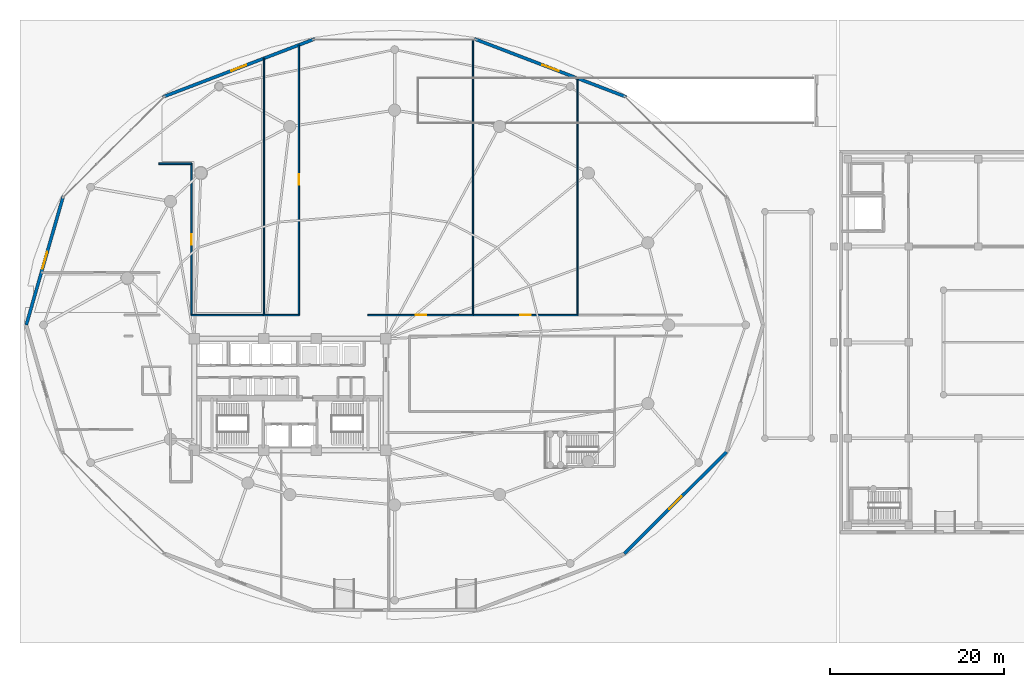
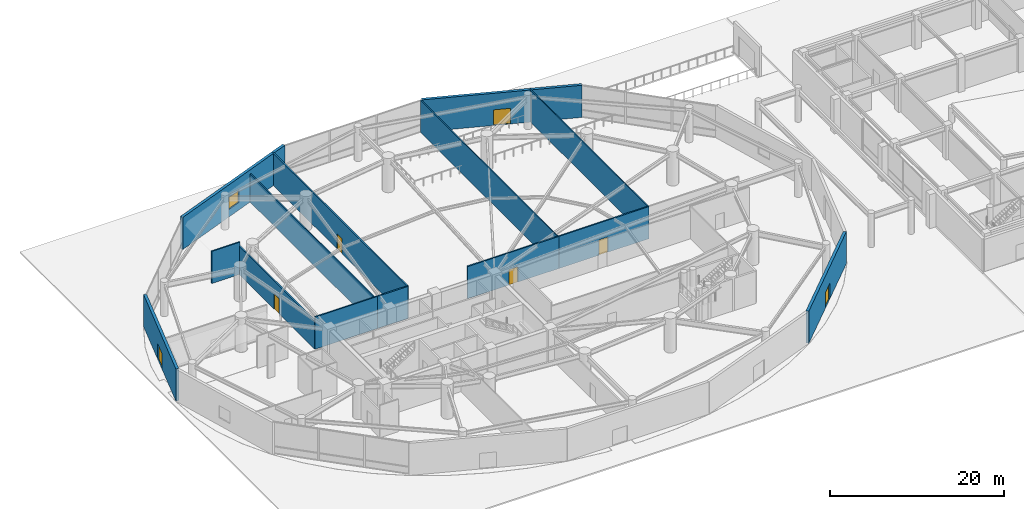
# One storey, part 24 of 35: 14 walls, 7 doors, 1 window, 8 openings.
"""IFC4 building model written with IfcOpenShell, lengths in metres."""

from ifc_helpers import new_model, si_unit, direction, frame, frame_2d, origin, place, context, subcontext, project, spatial, rectangle, extrude, material, layer, layer_set, type_object, element, fill, save


model = new_model("IFC4")

# Units and contexts
model_context = context("Model", 3, precision=1e-05, world=origin(), true_north=direction((0.0, 1.0)))
body_context = subcontext(model_context, "Body", "Model", "MODEL_VIEW")
ifc_project = project(units=[si_unit("LENGTHUNIT", "METRE"), si_unit("AREAUNIT", "SQUARE_METRE"), si_unit("VOLUMEUNIT", "CUBIC_METRE"), si_unit("PLANEANGLEUNIT", "RADIAN"), si_unit("MASSUNIT", "GRAM", prefix="KILO")], contexts=[model_context])

# Site, building, storey
site_placement = place(None, origin())
site = spatial("IfcSite", under=ifc_project, at=site_placement, CompositionType="ELEMENT")
building_placement = place(site_placement, origin())
building = spatial("IfcBuilding", under=site, at=building_placement, Name="Kazevale Care Tower and Concert Hall", CompositionType="ELEMENT")
storey_placement = place(building_placement, origin())
storey = spatial("IfcBuildingStorey", under=building, at=storey_placement, Name="L00", CompositionType="ELEMENT", Elevation=0.0)

# Walls
ifc_material_1 = material(Name="Acoustic Gypsum on Steel Stud", Category="steel")
ifc_layer_1 = layer(ifc_material_1, 0.139892578125)
ifc_layer_set_1 = layer_set([ifc_layer_1], Name="Acoustic Gypsum on Steel Stud")
wall_type_1 = type_object("IfcWallType", Name="Acoustic Care & Suite Partition 140", PredefinedType="PARTITIONING", material=ifc_layer_set_1)
wall_1_placement = place(storey_placement, frame((30.0, 68.58935546875, 0.0), z_axis=(0.0, 0.0, 1.0), x_axis=(0.0, -1.0, 0.0)))
element("IfcWall", 1, at=wall_1_placement, inside=storey, type_object=wall_type_1, Name="wall:L00:auto_021", PredefinedType="PARTITIONING", context=body_context, shape_type="SweptSolid", body=[
    extrude(rectangle(XDim=29.494384765625, YDim=0.139892578125, at=frame_2d((14.7470703125, 0.0))), origin(), (0.0, 0.0, 1.0), 3.966064453125),
])
wall_2_placement = place(storey_placement, frame((54.0, 70.72802734375, 0.0), z_axis=(0.0, 0.0, 1.0), x_axis=(0.0, -1.0, 0.0)))
element("IfcWall", 2, at=wall_2_placement, inside=storey, type_object=wall_type_1, Name="wall:L00:auto_022", PredefinedType="PARTITIONING", context=body_context, shape_type="SweptSolid", body=[
    extrude(rectangle(XDim=31.633056640625, YDim=0.139892578125, at=frame_2d((15.81640625, 0.0))), origin(), (0.0, 0.0, 1.0), 4.52001953125),
])
wall_3_placement = place(storey_placement, frame((66.0, 66.29443359375, 0.0), z_axis=(0.0, 0.0, 1.0), x_axis=(0.0, -1.0, 0.0)))
element("IfcWall", 3, at=wall_3_placement, inside=storey, type_object=wall_type_1, Name="wall:L00:auto_023", PredefinedType="PARTITIONING", context=body_context, shape_type="SweptSolid", body=[
    extrude(rectangle(XDim=27.199462890625, YDim=0.139892578125, at=frame_2d((13.599609375, 0.0))), origin(), (0.0, 0.0, 1.0), 4.52001953125),
])

# Wall, opening, door
ifc_material_2 = material(Name="Concrete C40 and Acoustic Gypsum", Category="concrete")
ifc_layer_2 = layer(ifc_material_2, 0.179931640625)
ifc_layer_set_2 = layer_set([ifc_layer_2], Name="Concrete C40 and Acoustic Gypsum")
wall_type_2 = type_object("IfcWallType", Name="Fire-Rated Corridor & Party Wall 180", PredefinedType="PARTITIONING", material=ifc_layer_set_2)
wall_4_placement = place(storey_placement, frame((21.675048828125, 56.530029296875, 0.0), z_axis=(0.0, 0.0, 1.0), x_axis=(0.0, -1.0, 0.0)))
wall_4 = element("IfcWall", 4, at=wall_4_placement, inside=storey, type_object=wall_type_2, Name="wall:L00:auto_003", PredefinedType="PARTITIONING", context=body_context, shape_type="SweptSolid", body=[
    extrude(rectangle(XDim=17.43505859375, YDim=0.179931640625, at=frame_2d((8.717529296875, 0.0))), origin(), (0.0, 0.0, 1.0), 3.966064453125),
])
opening_1_placement = place(wall_4_placement, frame((8.116943359375, 0.0, 0.0)))
opening_1 = element("IfcOpeningElement", 5, at=opening_1_placement, cuts=wall_4, Name="Opening ID-1200", PredefinedType="OPENING", context=body_context, shape_type="SweptSolid", body=[
    extrude(rectangle(XDim=1.199951171875, YDim=2.14990234375, at=frame_2d((0.60009765625, 1.074951171875))), frame((0.0, 0.099853515625, 0.0), z_axis=(0.0, -1.0, 0.0), x_axis=(1.0, 0.0, 0.0)), (0.0, 0.0, 1.0), 0.199951171875),
])
ifc_material_3 = material(Name="Oak Timber Fire Leaf", Category="wood")
door_type_1 = type_object("IfcDoorType", Name="Clinical & Therapy Door 1200x2150", OperationType="NOTDEFINED", PredefinedType="DOOR", material=ifc_material_3)
door_1_placement = place(opening_1_placement, origin())
door_1 = element("IfcDoor", 6, at=door_1_placement, inside=storey, type_object=door_type_1, Name="door:L00:ad_003", OperationType="SINGLE_SWING_LEFT", OverallHeight=2.14990234375, OverallWidth=1.199951171875, PredefinedType="DOOR", context=body_context, shape_type="SweptSolid", body=[
    extrude(rectangle(XDim=1.199951171875, YDim=2.14990234375, at=frame_2d((0.60009765625, 1.074951171875))), frame((0.0, 0.02490234375, 0.0), z_axis=(0.0, -1.0, 0.0), x_axis=(1.0, 0.0, 0.0)), (0.0, 0.0, 1.0), 0.050048828125),
])
fill(opening_1, door_1)

# Walls
wall_5_placement = place(storey_placement, frame((21.64501953125, 39.125, 0.0), z_axis=(0.0, 0.0, 1.0), x_axis=(1.0, 0.0, 0.0)))
element("IfcWall", 7, at=wall_5_placement, inside=storey, type_object=wall_type_2, Name="wall:L00:auto_004", PredefinedType="PARTITIONING", context=body_context, shape_type="SweptSolid", body=[
    extrude(rectangle(XDim=8.419921875, YDim=0.179931640625, at=frame_2d((4.2099609375, 0.0))), origin(), (0.0, 0.0, 1.0), 4.52001953125),
])
wall_6_placement = place(storey_placement, frame((17.93505859375, 56.5, 0.0), z_axis=(0.0, 0.0, 1.0), x_axis=(1.0, 0.0, 0.0)))
element("IfcWall", 8, at=wall_6_placement, inside=storey, type_object=wall_type_2, Name="wall:L00:auto_005", PredefinedType="PARTITIONING", context=body_context, shape_type="SweptSolid", body=[
    extrude(rectangle(XDim=3.77001953125, YDim=0.179931640625, at=frame_2d((1.885009765625, 0.0))), origin(), (0.0, 0.0, 1.0), 4.52001953125),
])

# Wall, opening, door
wall_7_placement = place(storey_placement, frame((34.0, 39.094970703125, 0.0), z_axis=(0.0, 0.0, 1.0), x_axis=(0.0, 1.0, 0.0)))
wall_7 = element("IfcWall", 9, at=wall_7_placement, inside=storey, type_object=wall_type_2, Name="wall:L00:auto_006", PredefinedType="PARTITIONING", context=body_context, shape_type="SweptSolid", body=[
    extrude(rectangle(XDim=31.024169921875, YDim=0.179931640625, at=frame_2d((15.51220703125, 0.0))), origin(), (0.0, 0.0, 1.0), 4.52001953125),
])
opening_2_placement = place(wall_7_placement, frame((14.989013671875, 0.0, 0.0)))
opening_2 = element("IfcOpeningElement", 10, at=opening_2_placement, cuts=wall_7, Name="Opening ID-1200", PredefinedType="OPENING", context=body_context, shape_type="SweptSolid", body=[
    extrude(rectangle(XDim=1.199951171875, YDim=2.14990234375, at=frame_2d((0.60009765625, 1.074951171875))), frame((0.0, 0.099853515625, 0.0), z_axis=(0.0, -1.0, 0.0), x_axis=(1.0, 0.0, 0.0)), (0.0, 0.0, 1.0), 0.199951171875),
])
door_2_placement = place(opening_2_placement, origin())
door_2 = element("IfcDoor", 11, at=door_2_placement, inside=storey, type_object=door_type_1, Name="door:L00:ad_006", OperationType="SINGLE_SWING_LEFT", OverallHeight=2.14990234375, OverallWidth=1.199951171875, PredefinedType="DOOR", context=body_context, shape_type="SweptSolid", body=[
    extrude(rectangle(XDim=1.199951171875, YDim=2.14990234375, at=frame_2d((0.60009765625, 1.074951171875))), frame((0.0, 0.02490234375, 0.0), z_axis=(0.0, -1.0, 0.0), x_axis=(1.0, 0.0, 0.0)), (0.0, 0.0, 1.0), 0.050048828125),
])
fill(opening_2, door_2)

# Wall
wall_8_placement = place(storey_placement, frame((29.93505859375, 39.125, 0.0), z_axis=(0.0, 0.0, 1.0), x_axis=(1.0, 0.0, 0.0)))
element("IfcWall", 12, at=wall_8_placement, inside=storey, type_object=wall_type_2, Name="wall:L00:auto_007", PredefinedType="PARTITIONING", context=body_context, shape_type="SweptSolid", body=[
    extrude(rectangle(XDim=4.094970703125, YDim=0.179931640625, at=frame_2d((2.04736328125, 0.0))), origin(), (0.0, 0.0, 1.0), 4.52001953125),
])

# Wall, opening, door
wall_9_placement = place(storey_placement, frame((41.93505859375, 39.125, 0.0), z_axis=(0.0, 0.0, 1.0), x_axis=(1.0, 0.0, 0.0)))
wall_9 = element("IfcWall", 13, at=wall_9_placement, inside=storey, type_object=wall_type_2, Name="wall:L00:auto_008", PredefinedType="PARTITIONING", context=body_context, shape_type="SweptSolid", body=[
    extrude(rectangle(XDim=12.1298828125, YDim=0.179931640625, at=frame_2d((6.06494140625, 0.0))), origin(), (0.0, 0.0, 1.0), 4.52001953125),
])
opening_3_placement = place(wall_9_placement, frame((5.465087890625, 0.0, 0.0)))
opening_3 = element("IfcOpeningElement", 14, at=opening_3_placement, cuts=wall_9, Name="Opening ID-1200", PredefinedType="OPENING", context=body_context, shape_type="SweptSolid", body=[
    extrude(rectangle(XDim=1.199951171875, YDim=2.14990234375, at=frame_2d((0.60009765625, 1.074951171875))), frame((0.0, 0.099853515625, 0.0), z_axis=(0.0, -1.0, 0.0), x_axis=(1.0, 0.0, 0.0)), (0.0, 0.0, 1.0), 0.199951171875),
])
door_3_placement = place(opening_3_placement, origin())
door_3 = element("IfcDoor", 15, at=door_3_placement, inside=storey, type_object=door_type_1, Name="door:L00:ad_008", OperationType="SINGLE_SWING_LEFT", OverallHeight=2.14990234375, OverallWidth=1.199951171875, PredefinedType="DOOR", context=body_context, shape_type="SweptSolid", body=[
    extrude(rectangle(XDim=1.199951171875, YDim=2.14990234375, at=frame_2d((0.60009765625, 1.074951171875))), frame((0.0, 0.02490234375, 0.0), z_axis=(0.0, -1.0, 0.0), x_axis=(1.0, 0.0, 0.0)), (0.0, 0.0, 1.0), 0.050048828125),
])
fill(opening_3, door_3)

wall_10_placement = place(storey_placement, frame((53.93505859375, 39.125, 0.0), z_axis=(0.0, 0.0, 1.0), x_axis=(1.0, 0.0, 0.0)))
wall_10 = element("IfcWall", 16, at=wall_10_placement, inside=storey, type_object=wall_type_2, Name="wall:L00:auto_009", PredefinedType="PARTITIONING", context=body_context, shape_type="SweptSolid", body=[
    extrude(rectangle(XDim=12.1298828125, YDim=0.179931640625, at=frame_2d((6.06494140625, 0.0))), origin(), (0.0, 0.0, 1.0), 4.52001953125),
])
opening_4_placement = place(wall_10_placement, frame((5.465087890625, 0.0, 0.0)))
opening_4 = element("IfcOpeningElement", 17, at=opening_4_placement, cuts=wall_10, Name="Opening ID-1200", PredefinedType="OPENING", context=body_context, shape_type="SweptSolid", body=[
    extrude(rectangle(XDim=1.199951171875, YDim=2.14990234375, at=frame_2d((0.60009765625, 1.074951171875))), frame((0.0, 0.099853515625, 0.0), z_axis=(0.0, -1.0, 0.0), x_axis=(1.0, 0.0, 0.0)), (0.0, 0.0, 1.0), 0.199951171875),
])
door_4_placement = place(opening_4_placement, origin())
door_4 = element("IfcDoor", 18, at=door_4_placement, inside=storey, type_object=door_type_1, Name="door:L00:ad_009", OperationType="SINGLE_SWING_LEFT", OverallHeight=2.14990234375, OverallWidth=1.199951171875, PredefinedType="DOOR", context=body_context, shape_type="SweptSolid", body=[
    extrude(rectangle(XDim=1.199951171875, YDim=2.14990234375, at=frame_2d((0.60009765625, 1.074951171875))), frame((0.0, 0.02490234375, 0.0), z_axis=(0.0, -1.0, 0.0), x_axis=(1.0, 0.0, 0.0)), (0.0, 0.0, 1.0), 0.050048828125),
])
fill(opening_4, door_4)

ifc_material_4 = material(Name="Concrete C40 with Honed Limestone Cladding", Category="masonry")
ifc_layer_3 = layer(ifc_material_4, 0.360107421875)
ifc_layer_set_3 = layer_set([ifc_layer_3], Name="Concrete C40 with Honed Limestone Cladding")
wall_type_3 = type_object("IfcWallType", Name="Podium Insulated Limestone Wall 360", PredefinedType="STANDARD", material=ifc_layer_set_3)
wall_11_placement = place(storey_placement, frame((54.1650390625, 70.8310546875, 0.0), z_axis=(0.0, 0.0, 1.0), x_axis=(0.934010262022, -0.357246176238, 0.0)))
wall_11 = element("IfcWall", 19, at=wall_11_placement, inside=storey, type_object=wall_type_3, Name="wall:L00:podew:03", PredefinedType="STANDARD", context=body_context, shape_type="SweptSolid", body=[
    extrude(rectangle(XDim=18.671142578125, YDim=0.360107421875, at=frame_2d((9.33544921875, 0.0))), origin(), (0.0, 0.0, 1.0), 4.52001953125),
])
opening_5_placement = place(wall_11_placement, frame((8.3359375, 0.0, 0.0)))
opening_5 = element("IfcOpeningElement", 20, at=opening_5_placement, cuts=wall_11, Name="Opening ED-2000", PredefinedType="OPENING", context=body_context, shape_type="SweptSolid", body=[
    extrude(rectangle(XDim=2.0, YDim=2.199951171875, at=frame_2d((1.0, 1.10009765625))), frame((0.0, 0.18994140625, 0.0), z_axis=(0.0, -1.0, 0.0), x_axis=(1.0, 0.0, 0.0)), (0.0, 0.0, 1.0), 0.380126953125),
])
ifc_material_5 = material(Name="Aluminium 6063-T6 and Low-E Glass", Category="aluminium")
door_type_2 = type_object("IfcDoorType", Name="Ground Final Exit Double Door 2000x2200", OperationType="NOTDEFINED", PredefinedType="DOOR", material=ifc_material_5)
door_5_placement = place(opening_5_placement, origin())
door_5 = element("IfcDoor", 21, at=door_5_placement, inside=storey, type_object=door_type_2, Name="door:L00:ED-10", OperationType="DOUBLE_DOOR_SINGLE_SWING", OverallHeight=2.199951171875, OverallWidth=2.0, PredefinedType="DOOR", context=body_context, shape_type="SweptSolid", body=[
    extrude(rectangle(XDim=2.0, YDim=2.199951171875, at=frame_2d((1.0, 1.10009765625))), frame((0.0, 0.02490234375, 0.0), z_axis=(0.0, -1.0, 0.0), x_axis=(1.0, 0.0, 0.0)), (0.0, 0.0, 1.0), 0.050048828125),
])
fill(opening_5, door_5)

# Wall, opening, window
wall_12_placement = place(storey_placement, frame((35.8349609375, 70.8310546875, 0.0), z_axis=(0.0, 0.0, 1.0), x_axis=(-0.934010262022, -0.357246176238, 0.0)))
wall_12 = element("IfcWall", 22, at=wall_12_placement, inside=storey, type_object=wall_type_3, Name="wall:L00:podew:05", PredefinedType="STANDARD", context=body_context, shape_type="SweptSolid", body=[
    extrude(rectangle(XDim=18.671142578125, YDim=0.360107421875, at=frame_2d((9.33544921875, 0.0))), origin(), (0.0, 0.0, 1.0), 4.52001953125),
])
opening_6_placement = place(wall_12_placement, frame((8.43603515625, 0.0, 1.050048828125)))
opening_6 = element("IfcOpeningElement", 23, at=opening_6_placement, cuts=wall_12, Name="Opening WIN-2", PredefinedType="OPENING", context=body_context, shape_type="SweptSolid", body=[
    extrude(rectangle(XDim=1.800048828125, YDim=1.699951171875, at=frame_2d((0.89990234375, 0.85009765625))), frame((0.0, 0.18994140625, 0.0), z_axis=(0.0, -1.0, 0.0), x_axis=(1.0, 0.0, 0.0)), (0.0, 0.0, 1.0), 0.380126953125),
])
ifc_material_6 = material(Name="Low-E Laminated Glass", Category="glass")
window_type = type_object("IfcWindowType", Name="Clinical Punched Window 1800x1700", PartitioningType="DOUBLE_PANEL_VERTICAL", PredefinedType="WINDOW", material=ifc_material_6)
window_placement = place(opening_6_placement, origin())
window = element("IfcWindow", 24, at=window_placement, inside=storey, type_object=window_type, Name="win:L00:pod:05", OverallHeight=1.699951171875, OverallWidth=1.800048828125, PartitioningType="SINGLE_PANEL", PredefinedType="WINDOW", context=body_context, shape_type="SweptSolid", body=[
    extrude(rectangle(XDim=1.800048828125, YDim=1.699951171875, at=frame_2d((0.89990234375, 0.85009765625))), frame((0.0, 0.030029296875, 0.0), z_axis=(0.0, -1.0, 0.0), x_axis=(1.0, 0.0, 0.0)), (0.0, 0.0, 1.0), 0.06005859375),
])
fill(opening_6, window)

# Wall, opening, door
wall_13_placement = place(storey_placement, frame((2.719970703125, 38.0, 0.0), z_axis=(0.0, 0.0, 1.0), x_axis=(0.276203409751, 0.961099202186, 0.0)))
wall_13 = element("IfcWall", 25, at=wall_13_placement, inside=storey, type_object=wall_type_3, Name="wall:L00:podew:07", PredefinedType="STANDARD", context=body_context, shape_type="SweptSolid", body=[
    extrude(rectangle(XDim=15.419921875, YDim=0.360107421875, at=frame_2d((7.7099609375, 0.0))), origin(), (0.0, 0.0, 1.0), 4.52001953125),
])
opening_7_placement = place(wall_13_placement, frame((6.7099609375, 0.0, 0.0)))
opening_7 = element("IfcOpeningElement", 26, at=opening_7_placement, cuts=wall_13, Name="Opening ED-2000", PredefinedType="OPENING", context=body_context, shape_type="SweptSolid", body=[
    extrude(rectangle(XDim=2.0, YDim=2.199951171875, at=frame_2d((1.0, 1.10009765625))), frame((0.0, 0.18994140625, 0.0), z_axis=(0.0, -1.0, 0.0), x_axis=(1.0, 0.0, 0.0)), (0.0, 0.0, 1.0), 0.380126953125),
])
door_6_placement = place(opening_7_placement, origin())
door_6 = element("IfcDoor", 27, at=door_6_placement, inside=storey, type_object=door_type_2, Name="door:L00:ED-09", OperationType="DOUBLE_DOOR_SINGLE_SWING", OverallHeight=2.199951171875, OverallWidth=2.0, PredefinedType="DOOR", context=body_context, shape_type="SweptSolid", body=[
    extrude(rectangle(XDim=2.0, YDim=2.199951171875, at=frame_2d((1.0, 1.10009765625))), frame((0.0, 0.02490234375, 0.0), z_axis=(0.0, -1.0, 0.0), x_axis=(1.0, 0.0, 0.0)), (0.0, 0.0, 1.0), 0.050048828125),
])
fill(opening_7, door_6)

wall_14_placement = place(storey_placement, frame((83.093017578125, 23.429931640625, 0.0), z_axis=(0.0, 0.0, 1.0), x_axis=(-0.708557675059, -0.705652904135, 0.0)))
wall_14 = element("IfcWall", 28, at=wall_14_placement, inside=storey, type_object=wall_type_3, Name="wall:L00:podew:13", PredefinedType="STANDARD", context=body_context, shape_type="SweptSolid", body=[
    extrude(rectangle(XDim=16.557373046875, YDim=0.360107421875, at=frame_2d((8.27880859375, 0.0))), origin(), (0.0, 0.0, 1.0), 4.52001953125),
])
opening_8_placement = place(wall_14_placement, frame((7.279052734375, 0.0, 0.0)))
opening_8 = element("IfcOpeningElement", 29, at=opening_8_placement, cuts=wall_14, Name="Opening ED-2000", PredefinedType="OPENING", context=body_context, shape_type="SweptSolid", body=[
    extrude(rectangle(XDim=2.0, YDim=2.199951171875, at=frame_2d((1.0, 1.10009765625))), frame((0.0, 0.18994140625, 0.0), z_axis=(0.0, -1.0, 0.0), x_axis=(1.0, 0.0, 0.0)), (0.0, 0.0, 1.0), 0.380126953125),
])
door_7_placement = place(opening_8_placement, origin())
door_7 = element("IfcDoor", 30, at=door_7_placement, inside=storey, type_object=door_type_2, Name="door:L00:ED-04", OperationType="DOUBLE_DOOR_SINGLE_SWING", OverallHeight=2.199951171875, OverallWidth=2.0, PredefinedType="DOOR", context=body_context, shape_type="SweptSolid", body=[
    extrude(rectangle(XDim=2.0, YDim=2.199951171875, at=frame_2d((1.0, 1.10009765625))), frame((0.0, 0.02490234375, 0.0), z_axis=(0.0, -1.0, 0.0), x_axis=(1.0, 0.0, 0.0)), (0.0, 0.0, 1.0), 0.050048828125),
])
fill(opening_8, door_7)

save(model, "model.ifc")
